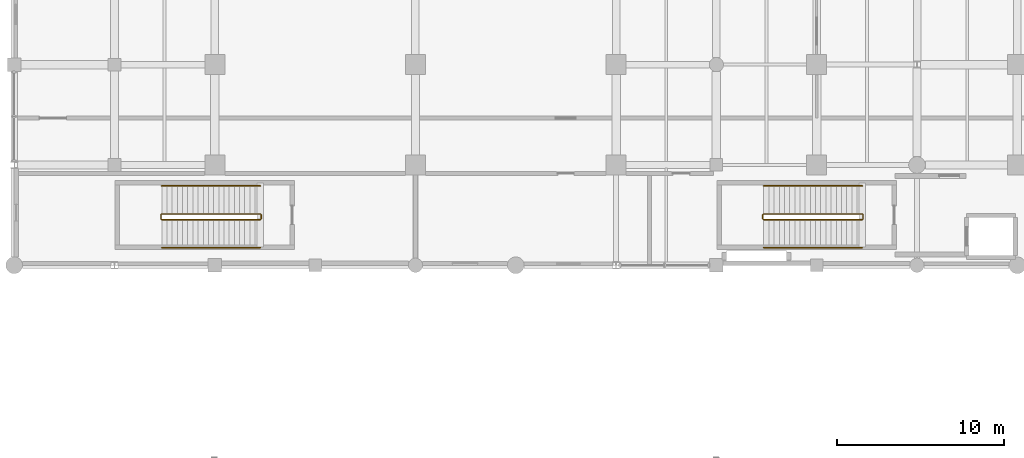
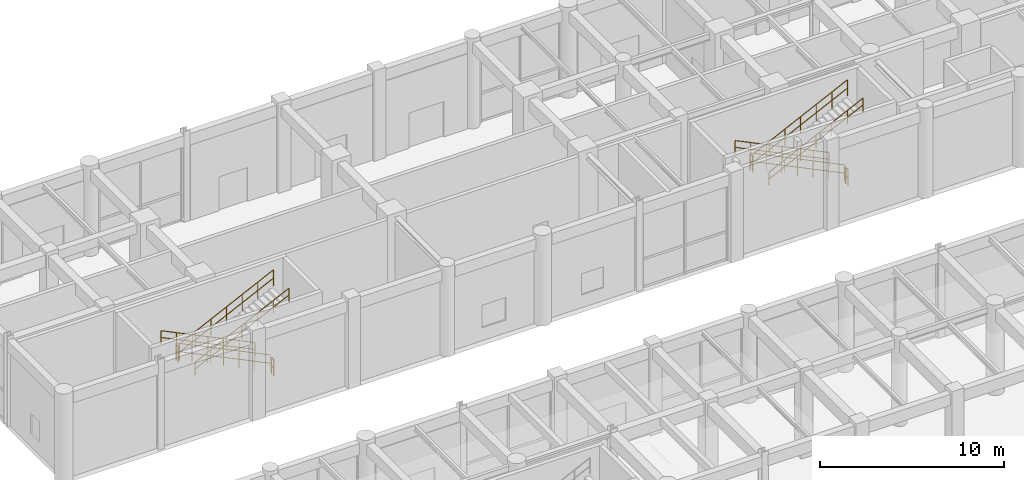
# One storey, part 104 of 106: 12 railings.
"""IFC4 building model written with IfcOpenShell, lengths in metres."""

from ifc_helpers import new_model, si_unit, direction, frame, origin, origin_2d, place, context, subcontext, project, spatial, circle, extrude, material, type_object, element, save


model = new_model("IFC4")

# Units and contexts
model_context = context("Model", 3, precision=1e-05, world=origin(), true_north=direction((0.0, 1.0)))
body_context = subcontext(model_context, "Body", "Model", "MODEL_VIEW")
ifc_project = project(units=[si_unit("LENGTHUNIT", "METRE"), si_unit("AREAUNIT", "SQUARE_METRE"), si_unit("VOLUMEUNIT", "CUBIC_METRE"), si_unit("PLANEANGLEUNIT", "RADIAN"), si_unit("MASSUNIT", "GRAM", prefix="KILO"), si_unit("THERMODYNAMICTEMPERATUREUNIT", "KELVIN"), si_unit("POWERUNIT", "WATT")], contexts=[model_context])

# Site, building, storey
site_placement = place(None, origin())
site = spatial("IfcSite", under=ifc_project, at=site_placement, CompositionType="ELEMENT")
building_placement = place(site_placement, origin())
building = spatial("IfcBuilding", under=site, at=building_placement, Name="Phaisarnlok Congress Hotel", CompositionType="ELEMENT")
storey_placement = place(building_placement, origin())
storey = spatial("IfcBuildingStorey", under=building, at=storey_placement, Name="L00", CompositionType="ELEMENT", Elevation=0.0)

# Railings
ifc_material_1 = material(Name="Painted Galvanised Steel S275", Category="steel")
railing_type_1 = type_object("IfcRailingType", Name="RLG-STR-GUARD", PredefinedType="BALUSTRADE", material=ifc_material_1)
railing_1_placement = place(storey_placement, frame((110.719970703125, 111.070068359375, 0.14990234375)))
element("IfcRailing", 1, at=railing_1_placement, inside=storey, type_object=railing_type_1, Name="L00 ST-07 stair guard 1", PredefinedType="BALUSTRADE", context=body_context, shape_type="SweptSolid", body=[
    extrude(circle(Radius=0.02392578125, at=origin_2d()), frame((0.0, 0.0, 1.076171875), z_axis=(-0.900150285036, 0.0, 0.435579458135), x_axis=(0.0, -1.0, 0.0)), (0.0, 0.0, 1.0), 6.543212890625),
    extrude(circle(Radius=0.02392578125, at=origin_2d()), frame((0.0, 0.0, 0.52587890625), z_axis=(-0.900150285036, 0.0, 0.435579458135), x_axis=(0.0, -1.0, 0.0)), (0.0, 0.0, 1.0), 6.543212890625),
    extrude(circle(Radius=0.02099609375, at=origin_2d()), origin(), (0.0, 0.0, 1.0), 1.052001953125),
    extrude(circle(Radius=0.02099609375, at=origin_2d()), frame((-0.981689453125, 0.0, 0.47509765625)), (0.0, 0.0, 1.0), 1.052001953125),
    extrude(circle(Radius=0.02099609375, at=origin_2d()), frame((-1.96337890625, 0.0, 0.949951171875)), (0.0, 0.0, 1.0), 1.052001953125),
    extrude(circle(Radius=0.02099609375, at=origin_2d()), frame((-2.94482421875, 0.0, 1.425048828125)), (0.0, 0.0, 1.0), 1.052001953125),
    extrude(circle(Radius=0.02099609375, at=origin_2d()), frame((-3.926513671875, 0.0, 1.900146484375)), (0.0, 0.0, 1.0), 1.052001953125),
    extrude(circle(Radius=0.02099609375, at=origin_2d()), frame((-4.908203125, 0.0, 2.375)), (0.0, 0.0, 1.0), 1.052001953125),
    extrude(circle(Radius=0.02099609375, at=origin_2d()), frame((-5.889892578125, 0.0, 2.85009765625)), (0.0, 0.0, 1.0), 1.052001953125),
])
railing_2_placement = place(storey_placement, frame((104.780029296875, 111.02001953125, 3.0)))
element("IfcRailing", 2, at=railing_2_placement, inside=storey, type_object=railing_type_1, Name="L00 ST-07 stair guard 2", PredefinedType="BALUSTRADE", context=body_context, shape_type="SweptSolid", body=[
    extrude(circle(Radius=0.02392578125, at=origin_2d()), frame((0.0, 0.0, 1.076171875), z_axis=(0.0, -1.0, 0.0), x_axis=(1.0, 0.0, 0.0)), (0.0, 0.0, 1.0), 0.239990234375),
    extrude(circle(Radius=0.02392578125, at=origin_2d()), frame((0.0, 0.0, 0.52587890625), z_axis=(0.0, -1.0, 0.0), x_axis=(1.0, 0.0, 0.0)), (0.0, 0.0, 1.0), 0.239990234375),
    extrude(circle(Radius=0.02099609375, at=origin_2d()), origin(), (0.0, 0.0, 1.0), 1.052001953125),
    extrude(circle(Radius=0.02099609375, at=origin_2d()), frame((0.0, -0.239990234375, 0.0)), (0.0, 0.0, 1.0), 1.052001953125),
])
railing_3_placement = place(storey_placement, frame((104.830078125, 110.72998046875, 3.14990234375)))
element("IfcRailing", 3, at=railing_3_placement, inside=storey, type_object=railing_type_1, Name="L00 ST-07 stair guard 3", PredefinedType="BALUSTRADE", context=body_context, shape_type="SweptSolid", body=[
    extrude(circle(Radius=0.02392578125, at=origin_2d()), frame((0.0, 0.0, 1.076171875), z_axis=(0.900150285036, 0.0, 0.435579458135), x_axis=(0.0, 1.0, 0.0)), (0.0, 0.0, 1.0), 6.543212890625),
    extrude(circle(Radius=0.02392578125, at=origin_2d()), frame((0.0, 0.0, 0.52587890625), z_axis=(0.900150285036, 0.0, 0.435579458135), x_axis=(0.0, 1.0, 0.0)), (0.0, 0.0, 1.0), 6.543212890625),
    extrude(circle(Radius=0.02099609375, at=origin_2d()), origin(), (0.0, 0.0, 1.0), 1.052001953125),
    extrude(circle(Radius=0.02099609375, at=origin_2d()), frame((0.981689453125, 0.0, 0.47509765625)), (0.0, 0.0, 1.0), 1.052001953125),
    extrude(circle(Radius=0.02099609375, at=origin_2d()), frame((1.96337890625, 0.0, 0.949951171875)), (0.0, 0.0, 1.0), 1.052001953125),
    extrude(circle(Radius=0.02099609375, at=origin_2d()), frame((2.94482421875, 0.0, 1.425048828125)), (0.0, 0.0, 1.0), 1.052001953125),
    extrude(circle(Radius=0.02099609375, at=origin_2d()), frame((3.926513671875, 0.0, 1.900146484375)), (0.0, 0.0, 1.0), 1.052001953125),
    extrude(circle(Radius=0.02099609375, at=origin_2d()), frame((4.908203125, 0.0, 2.375)), (0.0, 0.0, 1.0), 1.052001953125),
    extrude(circle(Radius=0.02099609375, at=origin_2d()), frame((5.889892578125, 0.0, 2.85009765625)), (0.0, 0.0, 1.0), 1.052001953125),
])
railing_4_placement = place(storey_placement, frame((110.77001953125, 111.02001953125, 0.0)))
element("IfcRailing", 4, at=railing_4_placement, inside=storey, type_object=railing_type_1, Name="L00 ST-07 stair guard 4", PredefinedType="BALUSTRADE", context=body_context, shape_type="SweptSolid", body=[
    extrude(circle(Radius=0.02392578125, at=origin_2d()), frame((0.0, 0.0, 1.076171875), z_axis=(0.0, -1.0, 0.0), x_axis=(1.0, 0.0, 0.0)), (0.0, 0.0, 1.0), 0.239990234375),
    extrude(circle(Radius=0.02392578125, at=origin_2d()), frame((0.0, 0.0, 0.52587890625), z_axis=(0.0, -1.0, 0.0), x_axis=(1.0, 0.0, 0.0)), (0.0, 0.0, 1.0), 0.239990234375),
    extrude(circle(Radius=0.02099609375, at=origin_2d()), origin(), (0.0, 0.0, 1.0), 1.052001953125),
    extrude(circle(Radius=0.02099609375, at=origin_2d()), frame((0.0, -0.239990234375, 0.0)), (0.0, 0.0, 1.0), 1.052001953125),
])
railing_5_placement = place(storey_placement, frame((74.719970703125, 111.070068359375, 0.14990234375)))
element("IfcRailing", 5, at=railing_5_placement, inside=storey, type_object=railing_type_1, Name="L00 ST-10 stair guard 1", PredefinedType="BALUSTRADE", context=body_context, shape_type="SweptSolid", body=[
    extrude(circle(Radius=0.02392578125, at=origin_2d()), frame((0.0, 0.0, 1.076171875), z_axis=(-0.900150285036, 0.0, 0.435579458135), x_axis=(0.0, -1.0, 0.0)), (0.0, 0.0, 1.0), 6.543212890625),
    extrude(circle(Radius=0.02392578125, at=origin_2d()), frame((0.0, 0.0, 0.52587890625), z_axis=(-0.900150285036, 0.0, 0.435579458135), x_axis=(0.0, -1.0, 0.0)), (0.0, 0.0, 1.0), 6.543212890625),
    extrude(circle(Radius=0.02099609375, at=origin_2d()), origin(), (0.0, 0.0, 1.0), 1.052001953125),
    extrude(circle(Radius=0.02099609375, at=origin_2d()), frame((-0.981689453125, 0.0, 0.47509765625)), (0.0, 0.0, 1.0), 1.052001953125),
    extrude(circle(Radius=0.02099609375, at=origin_2d()), frame((-1.96337890625, 0.0, 0.949951171875)), (0.0, 0.0, 1.0), 1.052001953125),
    extrude(circle(Radius=0.02099609375, at=origin_2d()), frame((-2.94482421875, 0.0, 1.425048828125)), (0.0, 0.0, 1.0), 1.052001953125),
    extrude(circle(Radius=0.02099609375, at=origin_2d()), frame((-3.926513671875, 0.0, 1.900146484375)), (0.0, 0.0, 1.0), 1.052001953125),
    extrude(circle(Radius=0.02099609375, at=origin_2d()), frame((-4.908203125, 0.0, 2.375)), (0.0, 0.0, 1.0), 1.052001953125),
    extrude(circle(Radius=0.02099609375, at=origin_2d()), frame((-5.889892578125, 0.0, 2.85009765625)), (0.0, 0.0, 1.0), 1.052001953125),
])
railing_6_placement = place(storey_placement, frame((68.780029296875, 111.02001953125, 3.0)))
element("IfcRailing", 6, at=railing_6_placement, inside=storey, type_object=railing_type_1, Name="L00 ST-10 stair guard 2", PredefinedType="BALUSTRADE", context=body_context, shape_type="SweptSolid", body=[
    extrude(circle(Radius=0.02392578125, at=origin_2d()), frame((0.0, 0.0, 1.076171875), z_axis=(0.0, -1.0, 0.0), x_axis=(1.0, 0.0, 0.0)), (0.0, 0.0, 1.0), 0.239990234375),
    extrude(circle(Radius=0.02392578125, at=origin_2d()), frame((0.0, 0.0, 0.52587890625), z_axis=(0.0, -1.0, 0.0), x_axis=(1.0, 0.0, 0.0)), (0.0, 0.0, 1.0), 0.239990234375),
    extrude(circle(Radius=0.02099609375, at=origin_2d()), origin(), (0.0, 0.0, 1.0), 1.052001953125),
    extrude(circle(Radius=0.02099609375, at=origin_2d()), frame((0.0, -0.239990234375, 0.0)), (0.0, 0.0, 1.0), 1.052001953125),
])
railing_7_placement = place(storey_placement, frame((68.830078125, 110.72998046875, 3.14990234375)))
element("IfcRailing", 7, at=railing_7_placement, inside=storey, type_object=railing_type_1, Name="L00 ST-10 stair guard 3", PredefinedType="BALUSTRADE", context=body_context, shape_type="SweptSolid", body=[
    extrude(circle(Radius=0.02392578125, at=origin_2d()), frame((0.0, 0.0, 1.076171875), z_axis=(0.900150285036, 0.0, 0.435579458135), x_axis=(0.0, 1.0, 0.0)), (0.0, 0.0, 1.0), 6.543212890625),
    extrude(circle(Radius=0.02392578125, at=origin_2d()), frame((0.0, 0.0, 0.52587890625), z_axis=(0.900150285036, 0.0, 0.435579458135), x_axis=(0.0, 1.0, 0.0)), (0.0, 0.0, 1.0), 6.543212890625),
    extrude(circle(Radius=0.02099609375, at=origin_2d()), origin(), (0.0, 0.0, 1.0), 1.052001953125),
    extrude(circle(Radius=0.02099609375, at=origin_2d()), frame((0.981689453125, 0.0, 0.47509765625)), (0.0, 0.0, 1.0), 1.052001953125),
    extrude(circle(Radius=0.02099609375, at=origin_2d()), frame((1.96337890625, 0.0, 0.949951171875)), (0.0, 0.0, 1.0), 1.052001953125),
    extrude(circle(Radius=0.02099609375, at=origin_2d()), frame((2.94482421875, 0.0, 1.425048828125)), (0.0, 0.0, 1.0), 1.052001953125),
    extrude(circle(Radius=0.02099609375, at=origin_2d()), frame((3.926513671875, 0.0, 1.900146484375)), (0.0, 0.0, 1.0), 1.052001953125),
    extrude(circle(Radius=0.02099609375, at=origin_2d()), frame((4.908203125, 0.0, 2.375)), (0.0, 0.0, 1.0), 1.052001953125),
    extrude(circle(Radius=0.02099609375, at=origin_2d()), frame((5.889892578125, 0.0, 2.85009765625)), (0.0, 0.0, 1.0), 1.052001953125),
])
railing_8_placement = place(storey_placement, frame((74.77001953125, 111.02001953125, 0.0)))
element("IfcRailing", 8, at=railing_8_placement, inside=storey, type_object=railing_type_1, Name="L00 ST-10 stair guard 4", PredefinedType="BALUSTRADE", context=body_context, shape_type="SweptSolid", body=[
    extrude(circle(Radius=0.02392578125, at=origin_2d()), frame((0.0, 0.0, 1.076171875), z_axis=(0.0, -1.0, 0.0), x_axis=(1.0, 0.0, 0.0)), (0.0, 0.0, 1.0), 0.239990234375),
    extrude(circle(Radius=0.02392578125, at=origin_2d()), frame((0.0, 0.0, 0.52587890625), z_axis=(0.0, -1.0, 0.0), x_axis=(1.0, 0.0, 0.0)), (0.0, 0.0, 1.0), 0.239990234375),
    extrude(circle(Radius=0.02099609375, at=origin_2d()), origin(), (0.0, 0.0, 1.0), 1.052001953125),
    extrude(circle(Radius=0.02099609375, at=origin_2d()), frame((0.0, -0.239990234375, 0.0)), (0.0, 0.0, 1.0), 1.052001953125),
])
ifc_material_2 = material(Name="Brushed Stainless Steel Grade 304", Category="steel")
railing_type_2 = type_object("IfcRailingType", Name="RLG-STR-HRAIL", PredefinedType="HANDRAIL", material=ifc_material_2)
railing_9_placement = place(storey_placement, frame((110.719970703125, 112.75, 0.14990234375)))
element("IfcRailing", 9, at=railing_9_placement, inside=storey, type_object=railing_type_2, Name="L00 ST-07 stair handrail 1", PredefinedType="HANDRAIL", context=body_context, shape_type="SweptSolid", body=[
    extrude(circle(Radius=0.02392578125, at=origin_2d()), frame((0.0, 0.0, 0.8759765625), z_axis=(-0.900150285036, 0.0, 0.435579458135), x_axis=(0.0, -1.0, 0.0)), (0.0, 0.0, 1.0), 6.543212890625),
    extrude(circle(Radius=0.02392578125, at=origin_2d()), frame((0.0, 0.0, 0.42578125), z_axis=(-0.900150285036, 0.0, 0.435579458135), x_axis=(0.0, -1.0, 0.0)), (0.0, 0.0, 1.0), 6.543212890625),
    extrude(circle(Radius=0.02099609375, at=origin_2d()), origin(), (0.0, 0.0, 1.0), 0.851806640625),
    extrude(circle(Radius=0.02099609375, at=origin_2d()), frame((-0.981689453125, 0.0, 0.47509765625)), (0.0, 0.0, 1.0), 0.851806640625),
    extrude(circle(Radius=0.02099609375, at=origin_2d()), frame((-1.96337890625, 0.0, 0.949951171875)), (0.0, 0.0, 1.0), 0.851806640625),
    extrude(circle(Radius=0.02099609375, at=origin_2d()), frame((-2.94482421875, 0.0, 1.425048828125)), (0.0, 0.0, 1.0), 0.851806640625),
    extrude(circle(Radius=0.02099609375, at=origin_2d()), frame((-3.926513671875, 0.0, 1.900146484375)), (0.0, 0.0, 1.0), 0.851806640625),
    extrude(circle(Radius=0.02099609375, at=origin_2d()), frame((-4.908203125, 0.0, 2.375)), (0.0, 0.0, 1.0), 0.851806640625),
    extrude(circle(Radius=0.02099609375, at=origin_2d()), frame((-5.889892578125, 0.0, 2.85009765625)), (0.0, 0.0, 1.0), 0.851806640625),
])
railing_10_placement = place(storey_placement, frame((104.830078125, 109.050048828125, 3.14990234375)))
element("IfcRailing", 10, at=railing_10_placement, inside=storey, type_object=railing_type_2, Name="L00 ST-07 stair handrail 2", PredefinedType="HANDRAIL", context=body_context, shape_type="SweptSolid", body=[
    extrude(circle(Radius=0.02392578125, at=origin_2d()), frame((0.0, 0.0, 0.8759765625), z_axis=(0.900150285036, 0.0, 0.435579458135), x_axis=(0.0, 1.0, 0.0)), (0.0, 0.0, 1.0), 6.543212890625),
    extrude(circle(Radius=0.02392578125, at=origin_2d()), frame((0.0, 0.0, 0.42578125), z_axis=(0.900150285036, 0.0, 0.435579458135), x_axis=(0.0, 1.0, 0.0)), (0.0, 0.0, 1.0), 6.543212890625),
    extrude(circle(Radius=0.02099609375, at=origin_2d()), origin(), (0.0, 0.0, 1.0), 0.851806640625),
    extrude(circle(Radius=0.02099609375, at=origin_2d()), frame((0.981689453125, 0.0, 0.47509765625)), (0.0, 0.0, 1.0), 0.851806640625),
    extrude(circle(Radius=0.02099609375, at=origin_2d()), frame((1.96337890625, 0.0, 0.949951171875)), (0.0, 0.0, 1.0), 0.851806640625),
    extrude(circle(Radius=0.02099609375, at=origin_2d()), frame((2.94482421875, 0.0, 1.425048828125)), (0.0, 0.0, 1.0), 0.851806640625),
    extrude(circle(Radius=0.02099609375, at=origin_2d()), frame((3.926513671875, 0.0, 1.900146484375)), (0.0, 0.0, 1.0), 0.851806640625),
    extrude(circle(Radius=0.02099609375, at=origin_2d()), frame((4.908203125, 0.0, 2.375)), (0.0, 0.0, 1.0), 0.851806640625),
    extrude(circle(Radius=0.02099609375, at=origin_2d()), frame((5.889892578125, 0.0, 2.85009765625)), (0.0, 0.0, 1.0), 0.851806640625),
])
railing_11_placement = place(storey_placement, frame((74.719970703125, 112.75, 0.14990234375)))
element("IfcRailing", 11, at=railing_11_placement, inside=storey, type_object=railing_type_2, Name="L00 ST-10 stair handrail 1", PredefinedType="HANDRAIL", context=body_context, shape_type="SweptSolid", body=[
    extrude(circle(Radius=0.02392578125, at=origin_2d()), frame((0.0, 0.0, 0.8759765625), z_axis=(-0.900150285036, 0.0, 0.435579458135), x_axis=(0.0, -1.0, 0.0)), (0.0, 0.0, 1.0), 6.543212890625),
    extrude(circle(Radius=0.02392578125, at=origin_2d()), frame((0.0, 0.0, 0.42578125), z_axis=(-0.900150285036, 0.0, 0.435579458135), x_axis=(0.0, -1.0, 0.0)), (0.0, 0.0, 1.0), 6.543212890625),
    extrude(circle(Radius=0.02099609375, at=origin_2d()), origin(), (0.0, 0.0, 1.0), 0.851806640625),
    extrude(circle(Radius=0.02099609375, at=origin_2d()), frame((-0.981689453125, 0.0, 0.47509765625)), (0.0, 0.0, 1.0), 0.851806640625),
    extrude(circle(Radius=0.02099609375, at=origin_2d()), frame((-1.96337890625, 0.0, 0.949951171875)), (0.0, 0.0, 1.0), 0.851806640625),
    extrude(circle(Radius=0.02099609375, at=origin_2d()), frame((-2.94482421875, 0.0, 1.425048828125)), (0.0, 0.0, 1.0), 0.851806640625),
    extrude(circle(Radius=0.02099609375, at=origin_2d()), frame((-3.926513671875, 0.0, 1.900146484375)), (0.0, 0.0, 1.0), 0.851806640625),
    extrude(circle(Radius=0.02099609375, at=origin_2d()), frame((-4.908203125, 0.0, 2.375)), (0.0, 0.0, 1.0), 0.851806640625),
    extrude(circle(Radius=0.02099609375, at=origin_2d()), frame((-5.889892578125, 0.0, 2.85009765625)), (0.0, 0.0, 1.0), 0.851806640625),
])
railing_12_placement = place(storey_placement, frame((68.830078125, 109.050048828125, 3.14990234375)))
element("IfcRailing", 12, at=railing_12_placement, inside=storey, type_object=railing_type_2, Name="L00 ST-10 stair handrail 2", PredefinedType="HANDRAIL", context=body_context, shape_type="SweptSolid", body=[
    extrude(circle(Radius=0.02392578125, at=origin_2d()), frame((0.0, 0.0, 0.8759765625), z_axis=(0.900150285036, 0.0, 0.435579458135), x_axis=(0.0, 1.0, 0.0)), (0.0, 0.0, 1.0), 6.543212890625),
    extrude(circle(Radius=0.02392578125, at=origin_2d()), frame((0.0, 0.0, 0.42578125), z_axis=(0.900150285036, 0.0, 0.435579458135), x_axis=(0.0, 1.0, 0.0)), (0.0, 0.0, 1.0), 6.543212890625),
    extrude(circle(Radius=0.02099609375, at=origin_2d()), origin(), (0.0, 0.0, 1.0), 0.851806640625),
    extrude(circle(Radius=0.02099609375, at=origin_2d()), frame((0.981689453125, 0.0, 0.47509765625)), (0.0, 0.0, 1.0), 0.851806640625),
    extrude(circle(Radius=0.02099609375, at=origin_2d()), frame((1.96337890625, 0.0, 0.949951171875)), (0.0, 0.0, 1.0), 0.851806640625),
    extrude(circle(Radius=0.02099609375, at=origin_2d()), frame((2.94482421875, 0.0, 1.425048828125)), (0.0, 0.0, 1.0), 0.851806640625),
    extrude(circle(Radius=0.02099609375, at=origin_2d()), frame((3.926513671875, 0.0, 1.900146484375)), (0.0, 0.0, 1.0), 0.851806640625),
    extrude(circle(Radius=0.02099609375, at=origin_2d()), frame((4.908203125, 0.0, 2.375)), (0.0, 0.0, 1.0), 0.851806640625),
    extrude(circle(Radius=0.02099609375, at=origin_2d()), frame((5.889892578125, 0.0, 2.85009765625)), (0.0, 0.0, 1.0), 0.851806640625),
])

save(model, "model.ifc")
